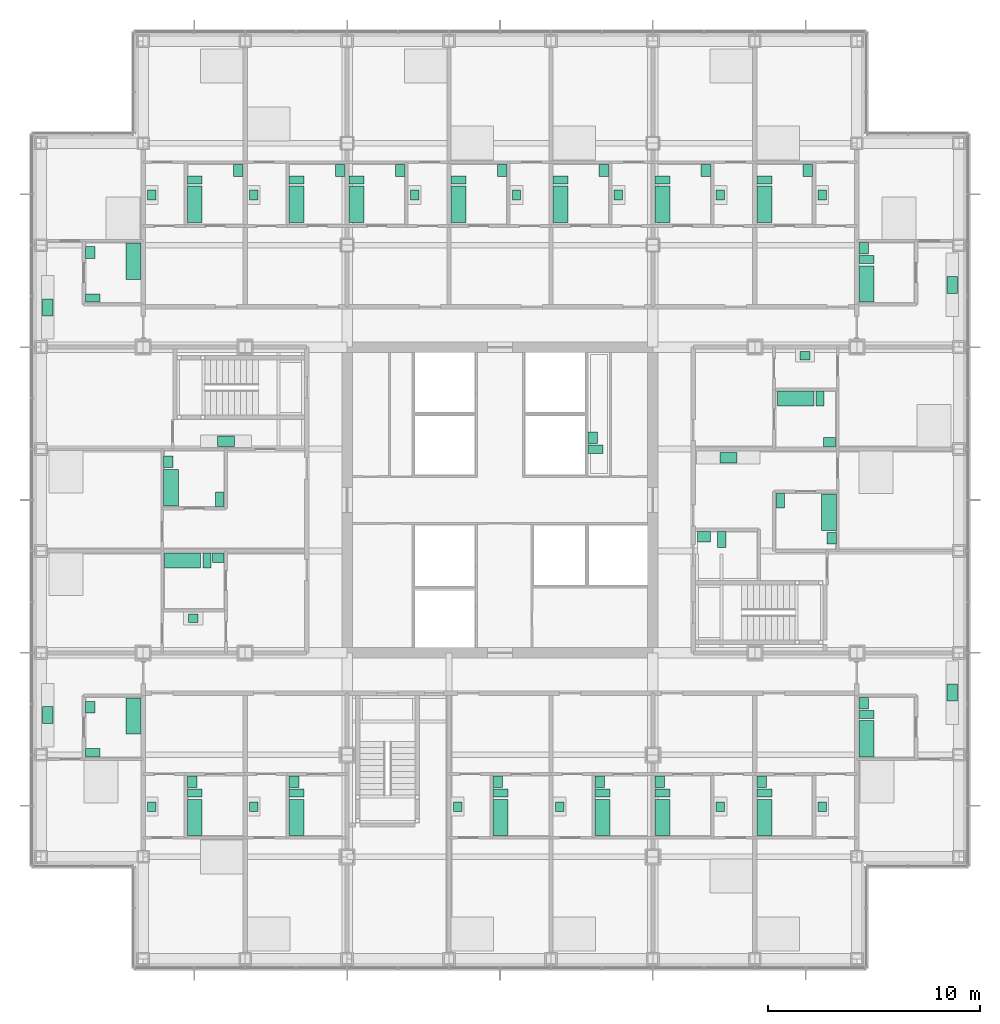
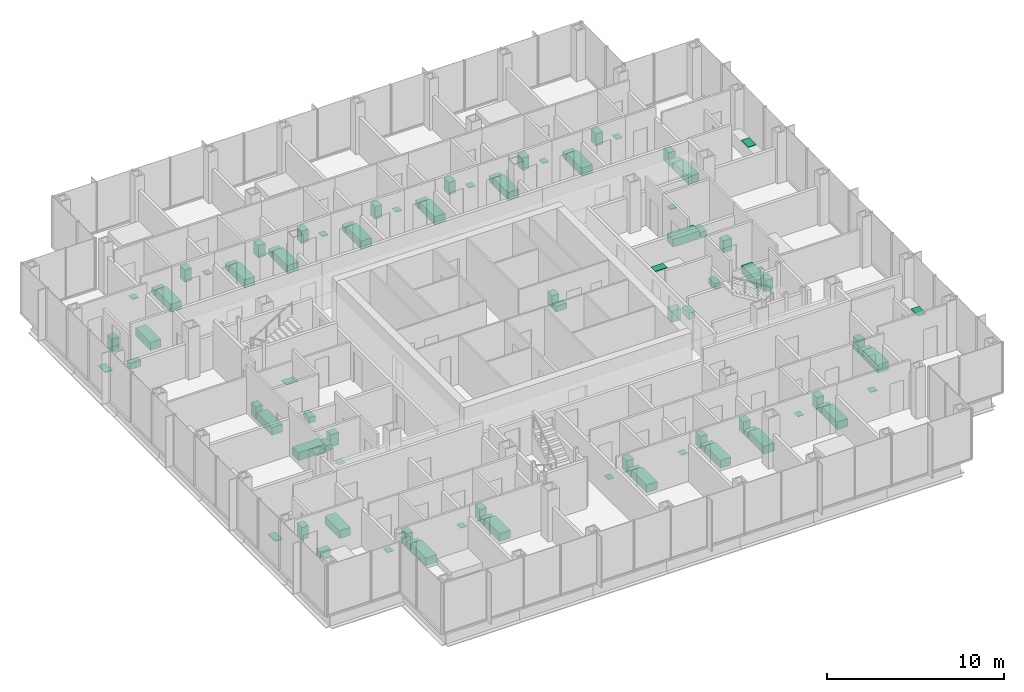
# One storey, part 21 of 22: 88 sanitary terminals.
"""IFC4 building model written with IfcOpenShell, lengths in metres."""

from ifc_helpers import new_model, si_unit, direction, frame, origin, origin_2d, place, context, subcontext, project, spatial, rectangle, extrude, material, type_object, element, save


model = new_model("IFC4")

# Units and contexts
model_context = context("Model", 3, precision=1e-05, world=origin(), true_north=direction((0.0, 1.0)))
body_context = subcontext(model_context, "Body", "Model", "MODEL_VIEW")
ifc_project = project(units=[si_unit("LENGTHUNIT", "METRE"), si_unit("AREAUNIT", "SQUARE_METRE"), si_unit("VOLUMEUNIT", "CUBIC_METRE"), si_unit("PLANEANGLEUNIT", "RADIAN"), si_unit("MASSUNIT", "GRAM", prefix="KILO")], contexts=[model_context])

# Site, building, storey
site_placement = place(None, origin())
site = spatial("IfcSite", under=ifc_project, at=site_placement, CompositionType="ELEMENT")
building_placement = place(site_placement, origin())
building = spatial("IfcBuilding", under=site, at=building_placement, Name="Kvirike Care Tower", CompositionType="ELEMENT")
storey_placement = place(building_placement, frame((0.0, 0.0, 69.0)))
storey = spatial("IfcBuildingStorey", under=building, at=storey_placement, Name="L18", CompositionType="ELEMENT", Elevation=69.0)

# Sanitary terminals
ifc_material_1 = material(Name="Vitreous china", Category="ceramic")
sanitary_terminal_type_1 = type_object("IfcSanitaryTerminalType", Name="ACCESSIBLE WASH BASIN 600 x 500", PredefinedType="WASHHANDBASIN", material=ifc_material_1)
sanitary_terminal_1_placement = place(storey_placement, frame((31.199951171875, 34.27294921875, 0.02001953125), z_axis=(0.0, 0.0, 1.0), x_axis=(1.0, 0.0, 0.0)))
element("IfcSanitaryTerminal", 1, at=sanitary_terminal_1_placement, inside=storey, type_object=sanitary_terminal_type_1, Name="Accessible wash basin L18-076", PredefinedType="WASHHANDBASIN", context=body_context, shape_type="SweptSolid", body=[
    extrude(rectangle(XDim=0.60009765625, YDim=0.5, at=origin_2d()), origin(), (0.0, 0.0, 1.0), 0.800048828125),
])
ifc_material_2 = material(Name="Vitreous china", Category="ceramic")
sanitary_terminal_type_2 = type_object("IfcSanitaryTerminalType", Name="ACCESSIBLE WC PAN 400 x 750", PredefinedType="TOILETPAN", material=ifc_material_2)
sanitary_terminal_2_placement = place(storey_placement, frame((32.050048828125, 34.14794921875, 0.02001953125), z_axis=(0.0, 0.0, 1.0), x_axis=(1.0, 0.0, 0.0)))
element("IfcSanitaryTerminal", 2, at=sanitary_terminal_2_placement, inside=storey, type_object=sanitary_terminal_type_2, Name="Accessible WC pan L18-076", PredefinedType="TOILETPAN", context=body_context, shape_type="SweptSolid", body=[
    extrude(rectangle(XDim=0.39990234375, YDim=0.75, at=origin_2d()), origin(), (0.0, 0.0, 1.0), 0.47998046875),
])
ifc_material_3 = material(Name="Enamelled steel", Category="steel")
sanitary_terminal_type_3 = type_object("IfcSanitaryTerminalType", Name="BATH 1700 x 700", PredefinedType="BATH", material=ifc_material_3)
for number, where, z_axis, x_axis, name in (
    (3, (4.347900390625, 25.824951171875, 0.02001953125), (0.0, 0.0, 1.0), (0.0, -1.0, 0.0), "Bath L18-003"),
    (4, (7.22705078125, 21.06005859375, 0.02001953125), (0.0, 0.0, 1.0), (0.0, 1.0, 0.0), "Bath L18-006"),
    (5, (12.027099609375, 21.06005859375, 0.02001953125), (0.0, 0.0, 1.0), (0.0, 1.0, 0.0), "Bath L18-010"),
    (6, (6.112060546875, 36.574951171875, 0.02001953125), (0.0, 0.0, 1.0), (0.0, 1.0, 0.0), "Bath L18-017"),
    (7, (6.659912109375, 33.14794921875, 0.02001953125), (0.0, 0.0, 1.0), (1.0, 0.0, 0.0), "Bath L18-021"),
    (8, (12.027099609375, 49.925048828125, 0.02001953125), (0.0, 0.0, 1.0), (0.0, 1.0, 0.0), "Bath L18-026"),
    (9, (7.22705078125, 49.925048828125, 0.02001953125), (0.0, 0.0, 1.0), (0.0, 1.0, 0.0), "Bath L18-030"),
    (10, (4.347900390625, 47.239990234375, 0.02001953125), (0.0, 0.0, 1.0), (0.0, -1.0, 0.0), "Bath L18-034"),
    (11, (21.626953125, 21.06005859375, 0.02001953125), (0.0, 0.0, 1.0), (0.0, 1.0, 0.0), "Bath L18-040"),
    (12, (26.427001953125, 21.06005859375, 0.02001953125), (0.0, 0.0, 1.0), (0.0, 1.0, 0.0), "Bath L18-044"),
    (13, (24.451904296875, 49.925048828125, 0.02001953125), (0.0, 0.0, 1.0), (0.0, 1.0, 0.0), "Bath L18-049"),
    (14, (19.652099609375, 49.925048828125, 0.02001953125), (0.0, 0.0, 1.0), (0.0, 1.0, 0.0), "Bath L18-053"),
    (15, (14.85205078125, 49.925048828125, 0.02001953125), (0.0, 0.0, 1.0), (0.0, 1.0, 0.0), "Bath L18-057"),
    (16, (29.251953125, 21.06005859375, 0.02001953125), (0.0, 0.0, 1.0), (0.0, 1.0, 0.0), "Bath L18-062"),
    (17, (34.052001953125, 21.06005859375, 0.02001953125), (0.0, 0.0, 1.0), (0.0, 1.0, 0.0), "Bath L18-066"),
    (18, (38.85205078125, 24.760009765625, 0.02001953125), (0.0, 0.0, 1.0), (0.0, 1.0, 0.0), "Bath L18-070"),
    (19, (37.087890625, 35.425048828125, 0.02001953125), (0.0, 0.0, 1.0), (0.0, -1.0, 0.0), "Bath L18-077"),
    (20, (35.52490234375, 40.77294921875, 0.02001953125), (0.0, 0.0, 1.0), (1.0, 0.0, 0.0), "Bath L18-080"),
    (21, (38.85205078125, 46.175048828125, 0.02001953125), (0.0, 0.0, 1.0), (0.0, 1.0, 0.0), "Bath L18-085"),
    (22, (34.052001953125, 49.925048828125, 0.02001953125), (0.0, 0.0, 1.0), (0.0, 1.0, 0.0), "Bath L18-088"),
    (23, (29.251953125, 49.925048828125, 0.02001953125), (0.0, 0.0, 1.0), (0.0, 1.0, 0.0), "Bath L18-092"),
):
    element("IfcSanitaryTerminal", number, at=place(storey_placement, frame(where, z_axis=z_axis, x_axis=x_axis)), inside=storey, type_object=sanitary_terminal_type_3, Name=name, PredefinedType="BATH", context=body_context, shape_type="SweptSolid", body=[
        extrude(rectangle(XDim=1.699951171875, YDim=0.699951171875, at=origin_2d()), origin(), (0.0, 0.0, 1.0), 0.550048828125),
    ])
ifc_material_4 = material(Name="Stainless steel", Category="steel")
sanitary_terminal_type_4 = type_object("IfcSanitaryTerminalType", Name="KITCHEN SINK 450 x 400", PredefinedType="SINK", material=ifc_material_4)
for number, where, z_axis, x_axis, name in (
    (24, (5.201904296875, 21.56005859375, 0.89990234375), (0.0, 0.0, 1.0), (0.0, 1.0, 0.0), "Kitchen sink L18-007"),
    (25, (10.001953125, 21.56005859375, 0.89990234375), (0.0, 0.0, 1.0), (0.0, 1.0, 0.0), "Kitchen sink L18-011"),
    (26, (7.159912109375, 30.423095703125, 0.89990234375), (0.0, 0.0, 1.0), (1.0, 0.0, 0.0), "Kitchen sink L18-022"),
    (27, (10.001953125, 50.360107421875, 0.89990234375), (0.0, 0.0, 1.0), (0.0, 1.0, 0.0), "Kitchen sink L18-027"),
    (28, (5.201904296875, 50.360107421875, 0.89990234375), (0.0, 0.0, 1.0), (0.0, 1.0, 0.0), "Kitchen sink L18-031"),
    (29, (19.60205078125, 21.56005859375, 0.89990234375), (0.0, 0.0, 1.0), (0.0, 1.0, 0.0), "Kitchen sink L18-041"),
    (30, (24.402099609375, 21.56005859375, 0.89990234375), (0.0, 0.0, 1.0), (0.0, 1.0, 0.0), "Kitchen sink L18-045"),
    (31, (27.177001953125, 50.360107421875, 0.89990234375), (0.0, 0.0, 1.0), (0.0, 1.0, 0.0), "Kitchen sink L18-050"),
    (32, (22.376953125, 50.360107421875, 0.89990234375), (0.0, 0.0, 1.0), (0.0, 1.0, 0.0), "Kitchen sink L18-054"),
    (33, (17.576904296875, 50.360107421875, 0.89990234375), (0.0, 0.0, 1.0), (0.0, 1.0, 0.0), "Kitchen sink L18-058"),
    (34, (31.97705078125, 21.56005859375, 0.89990234375), (0.0, 0.0, 1.0), (0.0, 1.0, 0.0), "Kitchen sink L18-063"),
    (35, (36.777099609375, 21.56005859375, 0.89990234375), (0.0, 0.0, 1.0), (0.0, 1.0, 0.0), "Kitchen sink L18-067"),
    (36, (35.9599609375, 42.798095703125, 0.89990234375), (0.0, 0.0, 1.0), (1.0, 0.0, 0.0), "Kitchen sink L18-081"),
    (37, (36.777099609375, 50.360107421875, 0.89990234375), (0.0, 0.0, 1.0), (0.0, 1.0, 0.0), "Kitchen sink L18-089"),
    (38, (31.97705078125, 50.360107421875, 0.89990234375), (0.0, 0.0, 1.0), (0.0, 1.0, 0.0), "Kitchen sink L18-093"),
):
    element("IfcSanitaryTerminal", number, at=place(storey_placement, frame(where, z_axis=z_axis, x_axis=x_axis)), inside=storey, type_object=sanitary_terminal_type_4, Name=name, PredefinedType="SINK", context=body_context, shape_type="SweptSolid", body=[
        extrude(rectangle(XDim=0.449951171875, YDim=0.39990234375, at=origin_2d()), origin(), (0.0, 0.0, 1.0), 0.030029296875),
    ])
ifc_material_5 = material(Name="Stainless steel", Category="steel")
sanitary_terminal_type_5 = type_object("IfcSanitaryTerminalType", Name="KITCHEN SINK 800 x 500", PredefinedType="SINK", material=ifc_material_5)
for number, where, z_axis, x_axis, name in (
    (39, (0.302001953125, 25.8701171875, 0.89990234375), (0.0, 0.0, 1.0), (0.0, 1.0, 0.0), "Kitchen sink L18-004"),
    (40, (8.699951171875, 38.761962890625, 0.89990234375), (0.0, 0.0, 1.0), (-1.0, 0.0, 0.0), "Kitchen sink L18-018"),
    (41, (0.302001953125, 45.070068359375, 0.89990234375), (0.0, 0.0, 1.0), (0.0, 1.0, 0.0), "Kitchen sink L18-035"),
    (42, (42.89794921875, 26.929931640625, 0.89990234375), (0.0, 0.0, 1.0), (0.0, -1.0, 0.0), "Kitchen sink L18-071"),
    (43, (32.35009765625, 37.998046875, 0.89990234375), (0.0, 0.0, 1.0), (1.0, 0.0, 0.0), "Kitchen sink L18-078"),
    (44, (42.89794921875, 46.1298828125, 0.89990234375), (0.0, 0.0, 1.0), (0.0, -1.0, 0.0), "Kitchen sink L18-086"),
):
    element("IfcSanitaryTerminal", number, at=place(storey_placement, frame(where, z_axis=z_axis, x_axis=x_axis)), inside=storey, type_object=sanitary_terminal_type_5, Name=name, PredefinedType="SINK", context=body_context, shape_type="SweptSolid", body=[
        extrude(rectangle(XDim=0.800048828125, YDim=0.5, at=origin_2d()), origin(), (0.0, 0.0, 1.0), 0.030029296875),
    ])
ifc_material_6 = material(Name="Vitreous china", Category="ceramic")
sanitary_terminal_type_6 = type_object("IfcSanitaryTerminalType", Name="WASH BASIN 550 x 450", PredefinedType="WASHHANDBASIN", material=ifc_material_6)
for number, where, z_axis, x_axis, name in (
    (45, (2.302001953125, 26.235107421875, 0.02001953125), (0.0, 0.0, 1.0), (0.0, 1.0, 0.0), "Wash basin L18-003"),
    (46, (7.10205078125, 22.735107421875, 0.02001953125), (0.0, 0.0, 1.0), (0.0, 1.0, 0.0), "Wash basin L18-006"),
    (47, (11.902099609375, 22.735107421875, 0.02001953125), (0.0, 0.0, 1.0), (0.0, 1.0, 0.0), "Wash basin L18-010"),
    (48, (5.987060546875, 37.800048828125, 0.02001953125), (0.0, 0.0, 1.0), (0.0, 1.0, 0.0), "Wash basin L18-017"),
    (49, (8.3349609375, 33.27294921875, 0.02001953125), (0.0, 0.0, 1.0), (1.0, 0.0, 0.0), "Wash basin L18-021"),
    (50, (14.072998046875, 51.514892578125, 0.02001953125), (0.0, 0.0, 1.0), (0.0, -1.0, 0.0), "Wash basin L18-026"),
    (51, (9.27294921875, 51.514892578125, 0.02001953125), (0.0, 0.0, 1.0), (0.0, -1.0, 0.0), "Wash basin L18-030"),
    (52, (2.302001953125, 47.64990234375, 0.02001953125), (0.0, 0.0, 1.0), (0.0, 1.0, 0.0), "Wash basin L18-034"),
    (53, (21.501953125, 22.735107421875, 0.02001953125), (0.0, 0.0, 1.0), (0.0, 1.0, 0.0), "Wash basin L18-040"),
    (54, (26.302001953125, 22.735107421875, 0.02001953125), (0.0, 0.0, 1.0), (0.0, 1.0, 0.0), "Wash basin L18-044"),
    (55, (26.498046875, 51.514892578125, 0.02001953125), (0.0, 0.0, 1.0), (0.0, -1.0, 0.0), "Wash basin L18-049"),
    (56, (21.697998046875, 51.514892578125, 0.02001953125), (0.0, 0.0, 1.0), (0.0, -1.0, 0.0), "Wash basin L18-053"),
    (57, (16.89794921875, 51.514892578125, 0.02001953125), (0.0, 0.0, 1.0), (0.0, -1.0, 0.0), "Wash basin L18-057"),
    (58, (29.126953125, 22.735107421875, 0.02001953125), (0.0, 0.0, 1.0), (0.0, 1.0, 0.0), "Wash basin L18-062"),
    (59, (33.927001953125, 22.735107421875, 0.02001953125), (0.0, 0.0, 1.0), (0.0, 1.0, 0.0), "Wash basin L18-066"),
    (60, (38.72705078125, 26.43505859375, 0.02001953125), (0.0, 0.0, 1.0), (0.0, 1.0, 0.0), "Wash basin L18-070"),
    (61, (37.212890625, 34.199951171875, 0.02001953125), (0.0, 0.0, 1.0), (0.0, -1.0, 0.0), "Wash basin L18-077"),
    (62, (37.114990234375, 38.72705078125, 0.02001953125), (0.0, 0.0, 1.0), (-1.0, 0.0, 0.0), "Wash basin L18-080"),
    (63, (38.72705078125, 47.85009765625, 0.02001953125), (0.0, 0.0, 1.0), (0.0, 1.0, 0.0), "Wash basin L18-085"),
    (64, (36.097900390625, 51.514892578125, 0.02001953125), (0.0, 0.0, 1.0), (0.0, -1.0, 0.0), "Wash basin L18-088"),
    (65, (31.298095703125, 51.514892578125, 0.02001953125), (0.0, 0.0, 1.0), (0.0, -1.0, 0.0), "Wash basin L18-092"),
    (66, (25.97705078125, 38.925048828125, 0.02001953125), (0.0, 0.0, 1.0), (0.0, 1.0, 0.0), "Wash basin L18-102"),
):
    element("IfcSanitaryTerminal", number, at=place(storey_placement, frame(where, z_axis=z_axis, x_axis=x_axis)), inside=storey, type_object=sanitary_terminal_type_6, Name=name, PredefinedType="WASHHANDBASIN", context=body_context, shape_type="SweptSolid", body=[
        extrude(rectangle(XDim=0.550048828125, YDim=0.449951171875, at=origin_2d()), origin(), (0.0, 0.0, 1.0), 0.85009765625),
    ])
ifc_material_7 = material(Name="Vitreous china", Category="ceramic")
sanitary_terminal_type_7 = type_object("IfcSanitaryTerminalType", Name="WC PAN 380 x 700", PredefinedType="TOILETPAN", material=ifc_material_7)
for number, where, z_axis, x_axis, name in (
    (67, (2.427001953125, 24.10009765625, 0.02001953125), (0.0, 0.0, 1.0), (0.0, 1.0, 0.0), "WC pan L18-003"),
    (68, (7.22705078125, 22.199951171875, 0.02001953125), (0.0, 0.0, 1.0), (0.0, 1.0, 0.0), "WC pan L18-006"),
    (69, (12.027099609375, 22.199951171875, 0.02001953125), (0.0, 0.0, 1.0), (0.0, 1.0, 0.0), "WC pan L18-010"),
    (70, (8.385009765625, 36.027099609375, 0.02001953125), (0.0, 0.0, 1.0), (-1.0, 0.0, 0.0), "WC pan L18-017"),
    (71, (7.800048828125, 33.14794921875, 0.02001953125), (0.0, 0.0, 1.0), (1.0, 0.0, 0.0), "WC pan L18-021"),
    (72, (12.027099609375, 51.06494140625, 0.02001953125), (0.0, 0.0, 1.0), (0.0, 1.0, 0.0), "WC pan L18-026"),
    (73, (7.22705078125, 51.06494140625, 0.02001953125), (0.0, 0.0, 1.0), (0.0, 1.0, 0.0), "WC pan L18-030"),
    (74, (2.427001953125, 45.514892578125, 0.02001953125), (0.0, 0.0, 1.0), (0.0, 1.0, 0.0), "WC pan L18-034"),
    (75, (21.626953125, 22.199951171875, 0.02001953125), (0.0, 0.0, 1.0), (0.0, 1.0, 0.0), "WC pan L18-040"),
    (76, (26.427001953125, 22.199951171875, 0.02001953125), (0.0, 0.0, 1.0), (0.0, 1.0, 0.0), "WC pan L18-044"),
    (77, (24.451904296875, 51.06494140625, 0.02001953125), (0.0, 0.0, 1.0), (0.0, 1.0, 0.0), "WC pan L18-049"),
    (78, (19.652099609375, 51.06494140625, 0.02001953125), (0.0, 0.0, 1.0), (0.0, 1.0, 0.0), "WC pan L18-053"),
    (79, (14.85205078125, 51.06494140625, 0.02001953125), (0.0, 0.0, 1.0), (0.0, 1.0, 0.0), "WC pan L18-057"),
    (80, (29.251953125, 22.199951171875, 0.02001953125), (0.0, 0.0, 1.0), (0.0, 1.0, 0.0), "WC pan L18-062"),
    (81, (34.052001953125, 22.199951171875, 0.02001953125), (0.0, 0.0, 1.0), (0.0, 1.0, 0.0), "WC pan L18-066"),
    (82, (38.85205078125, 25.89990234375, 0.02001953125), (0.0, 0.0, 1.0), (0.0, 1.0, 0.0), "WC pan L18-070"),
    (83, (34.81494140625, 35.972900390625, 0.02001953125), (0.0, 0.0, 1.0), (1.0, 0.0, 0.0), "WC pan L18-077"),
    (84, (36.6650390625, 40.77294921875, 0.02001953125), (0.0, 0.0, 1.0), (1.0, 0.0, 0.0), "WC pan L18-080"),
    (85, (38.85205078125, 47.31494140625, 0.02001953125), (0.0, 0.0, 1.0), (0.0, 1.0, 0.0), "WC pan L18-085"),
    (86, (34.052001953125, 51.06494140625, 0.02001953125), (0.0, 0.0, 1.0), (0.0, 1.0, 0.0), "WC pan L18-088"),
    (87, (29.251953125, 51.06494140625, 0.02001953125), (0.0, 0.0, 1.0), (0.0, 1.0, 0.0), "WC pan L18-092"),
    (88, (26.10205078125, 38.389892578125, 0.02001953125), (0.0, 0.0, 1.0), (0.0, 1.0, 0.0), "WC pan L18-102"),
):
    element("IfcSanitaryTerminal", number, at=place(storey_placement, frame(where, z_axis=z_axis, x_axis=x_axis)), inside=storey, type_object=sanitary_terminal_type_7, Name=name, PredefinedType="TOILETPAN", context=body_context, shape_type="SweptSolid", body=[
        extrude(rectangle(XDim=0.3798828125, YDim=0.699951171875, at=origin_2d()), origin(), (0.0, 0.0, 1.0), 0.39990234375),
    ])

save(model, "model.ifc")
